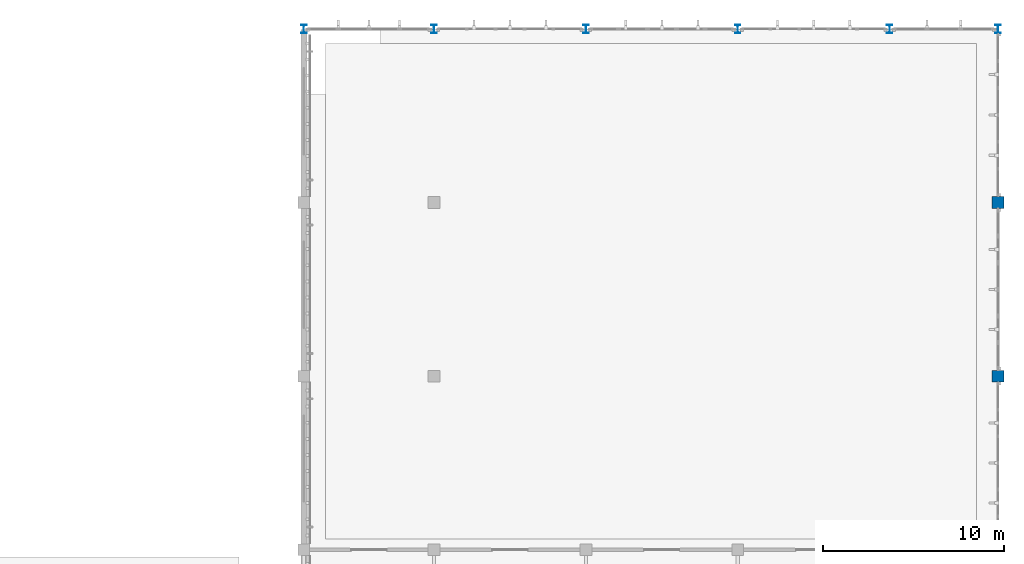
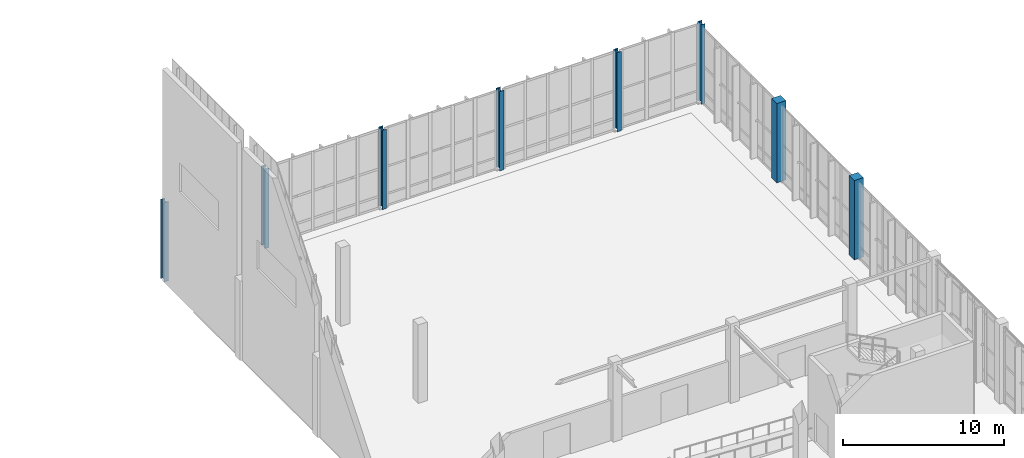
# One storey, part 13 of 110: 8 columns.
"""IFC4 building model written with IfcOpenShell, lengths in metres."""

from ifc_helpers import new_model, si_unit, direction, frame, origin, origin_2d, place, context, subcontext, project, spatial, rectangle, i_section, extrude, material, material_profile, profile_set, type_object, element, save


model = new_model("IFC4")

# Units and contexts
model_context = context("Model", 3, precision=1e-05, world=origin(), true_north=direction((0.0, 1.0)))
body_context = subcontext(model_context, "Body", "Model", "MODEL_VIEW")
ifc_project = project(units=[si_unit("LENGTHUNIT", "METRE"), si_unit("AREAUNIT", "SQUARE_METRE"), si_unit("VOLUMEUNIT", "CUBIC_METRE"), si_unit("PLANEANGLEUNIT", "RADIAN"), si_unit("MASSUNIT", "GRAM", prefix="KILO")], contexts=[model_context])

# Site, building, storey
site_placement = place(None, origin())
site = spatial("IfcSite", under=ifc_project, at=site_placement, CompositionType="ELEMENT")
building_placement = place(site_placement, origin())
building = spatial("IfcBuilding", under=site, at=building_placement, Name="Tizgana Railside Sports Hall", CompositionType="ELEMENT")
storey_placement = place(building_placement, origin())
storey = spatial("IfcBuildingStorey", under=building, at=storey_placement, Name="L00", CompositionType="ELEMENT", Elevation=0.0)

# Columns
ifc_material_1 = material(Name="Concrete C40/50", Category="concrete")
ifc_material_profile_1 = material_profile(ifc_material_1, rectangle(XDim=0.64990234375, YDim=0.64990234375, at=origin_2d()), Name="RC 650x650")
ifc_profile_set_1 = profile_set([ifc_material_profile_1], Name="Concrete C40/50")
column_type_1 = type_object("IfcColumnType", Name="Concrete Column RC 650x650", PredefinedType="COLUMN", material=ifc_profile_set_1)
for number, where, z_axis, x_axis, name in (
    (1, (172.199951171875, 98.39990234375, 0.0), (0.0, 0.0, 1.0), (1.0, 0.0, 0.0), "L00 COL-0522"),
    (2, (172.199951171875, 108.0, 0.0), (0.0, 0.0, 1.0), (1.0, 0.0, 0.0), "L00 COL-0526"),
):
    element("IfcColumn", number, at=place(storey_placement, frame(where, z_axis=z_axis, x_axis=x_axis)), inside=storey, type_object=column_type_1, Name=name, PredefinedType="COLUMN", context=body_context, shape_type="SweptSolid", body=[
        extrude(rectangle(XDim=0.64990234375, YDim=0.64990234375, at=origin_2d()), origin(), (0.0, 0.0, 1.0), 6.0),
    ])
ifc_material_2 = material(Name="Steel S355J2", Category="steel")
ifc_material_profile_2 = material_profile(ifc_material_2, i_section(OverallWidth=0.300048828125, OverallDepth=0.449951171875, WebThickness=0.013916015625, FlangeThickness=0.02587890625, FilletRadius=0.027099609375, at=origin_2d()), Name="HEB 450")
ifc_profile_set_2 = profile_set([ifc_material_profile_2], Name="Steel S355J2")
column_type_2 = type_object("IfcColumnType", Name="Steel Column HEB 450", PredefinedType="COLUMN", material=ifc_profile_set_2)
for number, where, z_axis, x_axis, name in (
    (3, (133.800048828125, 117.60009765625, 0.0), (0.0, 0.0, 1.0), (1.0, 0.0, 0.0), "L00 COL-0434"),
    (4, (141.0, 117.60009765625, 0.0), (0.0, 0.0, 1.0), (1.0, 0.0, 0.0), "L00 COL-0458"),
    (5, (149.39990234375, 117.60009765625, 0.0), (0.0, 0.0, 1.0), (1.0, 0.0, 0.0), "L00 COL-0474"),
    (6, (157.800048828125, 117.60009765625, 0.0), (0.0, 0.0, 1.0), (1.0, 0.0, 0.0), "L00 COL-0490"),
    (7, (166.199951171875, 117.60009765625, 0.0), (0.0, 0.0, 1.0), (1.0, 0.0, 0.0), "L00 COL-0506"),
    (8, (172.199951171875, 117.60009765625, 0.0), (0.0, 0.0, 1.0), (1.0, 0.0, 0.0), "L00 COL-0530"),
):
    element("IfcColumn", number, at=place(storey_placement, frame(where, z_axis=z_axis, x_axis=x_axis)), inside=storey, type_object=column_type_2, Name=name, PredefinedType="COLUMN", context=body_context, shape_type="SweptSolid", body=[
        extrude(i_section(OverallWidth=0.300048828125, OverallDepth=0.449951171875, WebThickness=0.013916015625, FlangeThickness=0.02587890625, FilletRadius=0.027099609375, at=origin_2d()), origin(), (0.0, 0.0, 1.0), 6.0),
    ])

save(model, "model.ifc")
